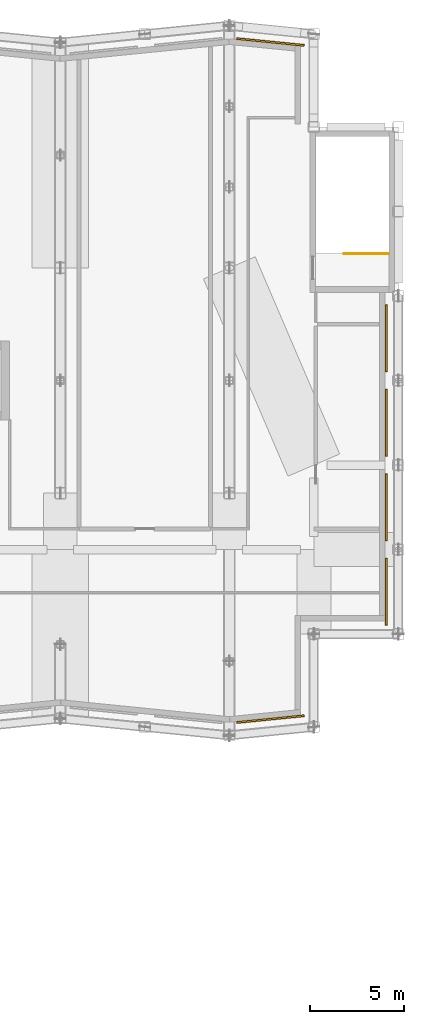
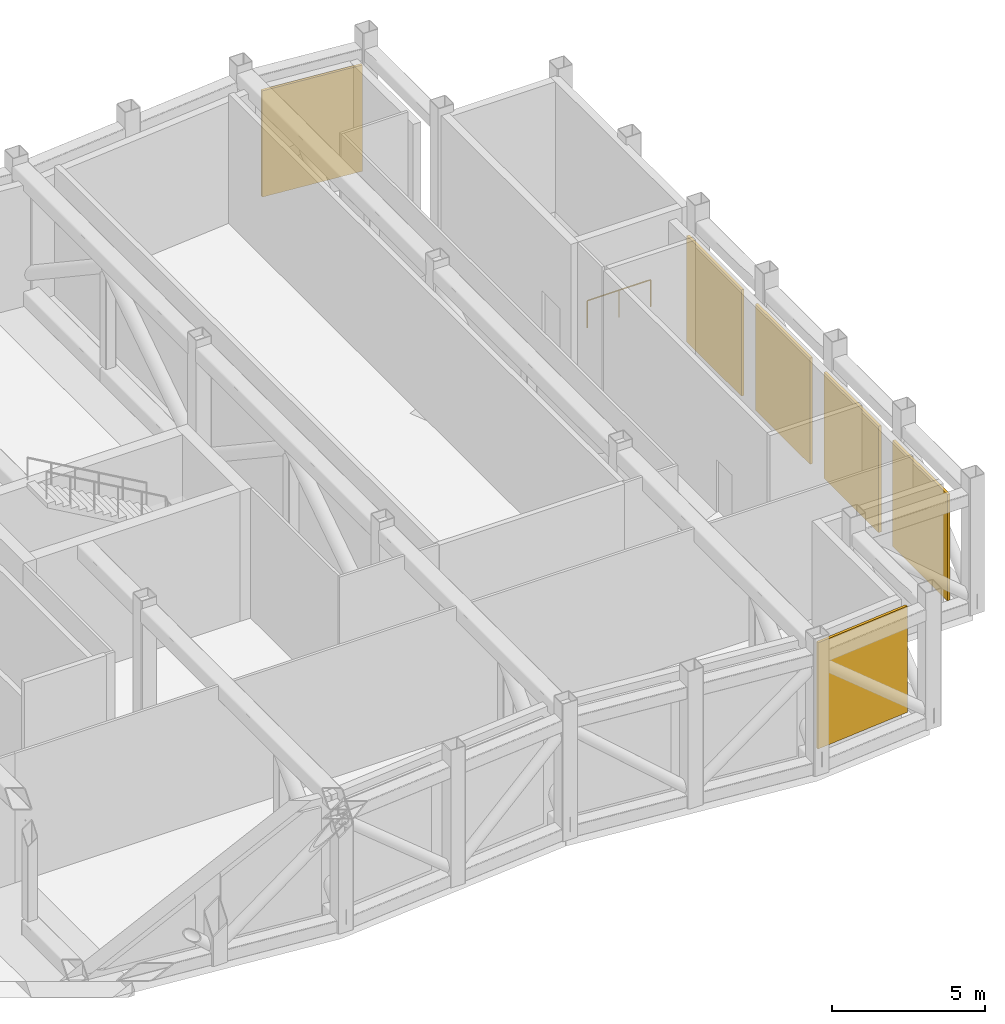
# One storey, part 22 of 22: 6 coverings, 1 railing.
"""IFC4 building model written with IfcOpenShell, lengths in metres."""

from ifc_helpers import new_model, si_unit, direction, frame, origin, origin_2d, place, context, subcontext, project, spatial, rectangle, circle, extrude, material, layer, layer_set, type_object, element, save


model = new_model("IFC4")

# Units and contexts
model_context = context("Model", 3, precision=1e-05, world=origin(), true_north=direction((0.0, 1.0)))
body_context = subcontext(model_context, "Body", "Model", "MODEL_VIEW")
ifc_project = project(units=[si_unit("LENGTHUNIT", "METRE"), si_unit("AREAUNIT", "SQUARE_METRE"), si_unit("VOLUMEUNIT", "CUBIC_METRE"), si_unit("PLANEANGLEUNIT", "RADIAN"), si_unit("MASSUNIT", "GRAM", prefix="KILO")], contexts=[model_context])

# Site, building, storey
site_placement = place(None, origin())
site = spatial("IfcSite", under=ifc_project, at=site_placement, CompositionType="ELEMENT")
building_placement = place(site_placement, origin())
building = spatial("IfcBuilding", under=site, at=building_placement, Name="Brondeck Convention Tower", CompositionType="ELEMENT")
storey_placement = place(building_placement, frame((0.0, 0.0, 32.0)))
storey = spatial("IfcBuildingStorey", under=building, at=storey_placement, Name="L05", CompositionType="ELEMENT", Elevation=32.0)

# Coverings
ifc_material_1 = material(Name="Aluminium, bronze anodised", Category="aluminium")
ifc_layer = layer(ifc_material_1, 0.10009765625)
ifc_layer_set = layer_set([ifc_layer], Name="Plant wall LOUVRE cladding")
covering_type = type_object("IfcCoveringType", Name="Plant wall LOUVRE cladding", PredefinedType="CLADDING", material=ifc_layer_set)
covering_1_placement = place(storey_placement, frame((65.185302734375, 26.9716796875, 0.300048828125), z_axis=(0.0, 0.0, 1.0), x_axis=(0.995037178292, 0.0995038382, 0.0)))
element("IfcCovering", 1, at=covering_1_placement, inside=storey, type_object=covering_type, Name="ENV-PW-L05-P0-A-S-06", PredefinedType="CLADDING", context=body_context, shape_type="SweptSolid", body=[
    extrude(rectangle(XDim=3.602294921875, YDim=0.10009765625, at=origin_2d()), origin(), (0.0, 0.0, 1.0), 4.25),
])
for number, where, z_axis, x_axis, name in (
    (2, (71.35009765625, 33.75, 0.300048828125), (0.0, 0.0, 1.0), (0.0, 1.0, 0.0), "ENV-PW-L05-P0-A-E72-01"),
    (3, (71.35009765625, 38.25, 0.300048828125), (0.0, 0.0, 1.0), (0.0, 1.0, 0.0), "ENV-PW-L05-P0-A-E72-02"),
    (4, (71.35009765625, 42.75, 0.300048828125), (0.0, 0.0, 1.0), (0.0, 1.0, 0.0), "ENV-PW-L05-P0-A-E72-03"),
    (5, (71.35009765625, 47.25, 0.300048828125), (0.0, 0.0, 1.0), (0.0, 1.0, 0.0), "ENV-PW-L05-P0-A-E72-04"),
):
    element("IfcCovering", number, at=place(storey_placement, frame(where, z_axis=z_axis, x_axis=x_axis)), inside=storey, type_object=covering_type, Name=name, PredefinedType="CLADDING", context=body_context, shape_type="SweptSolid", body=[
        extrude(rectangle(XDim=3.580078125, YDim=0.10009765625, at=origin_2d()), origin(), (0.0, 0.0, 1.0), 4.25),
    ])
covering_2_placement = place(storey_placement, frame((65.185302734375, 63.0283203125, 0.300048828125), z_axis=(0.0, 0.0, 1.0), x_axis=(-0.995037178292, 0.0995038382, 0.0)))
element("IfcCovering", 6, at=covering_2_placement, inside=storey, type_object=covering_type, Name="ENV-PW-L05-P0-A-N-14", PredefinedType="CLADDING", context=body_context, shape_type="SweptSolid", body=[
    extrude(rectangle(XDim=3.602294921875, YDim=0.10009765625, at=origin_2d()), origin(), (0.0, 0.0, 1.0), 4.25),
])

# Railing
ifc_material_2 = material(Name="Steel S355", Category="steel")
railing_type = type_object("IfcRailingType", Name="Stair guard 1100", PredefinedType="GUARDRAIL", material=ifc_material_2)
railing_placement = place(storey_placement, frame((71.5, 51.75, 0.0)))
element("IfcRailing", 7, at=railing_placement, inside=storey, type_object=railing_type, Name="L05 PS-1 top well guard 1", PredefinedType="GUARDRAIL", context=body_context, shape_type="SweptSolid", body=[
    extrude(circle(Radius=0.02392578125, at=origin_2d()), frame((0.0, 0.0, 1.076171875), z_axis=(-1.0, 0.0, 0.0), x_axis=(0.0, -1.0, 0.0)), (0.0, 0.0, 1.0), 2.39990234375),
    extrude(circle(Radius=0.02099609375, at=origin_2d()), origin(), (0.0, 0.0, 1.0), 1.052001953125),
    extrude(circle(Radius=0.02099609375, at=origin_2d()), frame((-1.199951171875, 0.0, 0.0)), (0.0, 0.0, 1.0), 1.052001953125),
    extrude(circle(Radius=0.02099609375, at=origin_2d()), frame((-2.39990234375, 0.0, 0.0)), (0.0, 0.0, 1.0), 1.052001953125),
])

save(model, "model.ifc")
